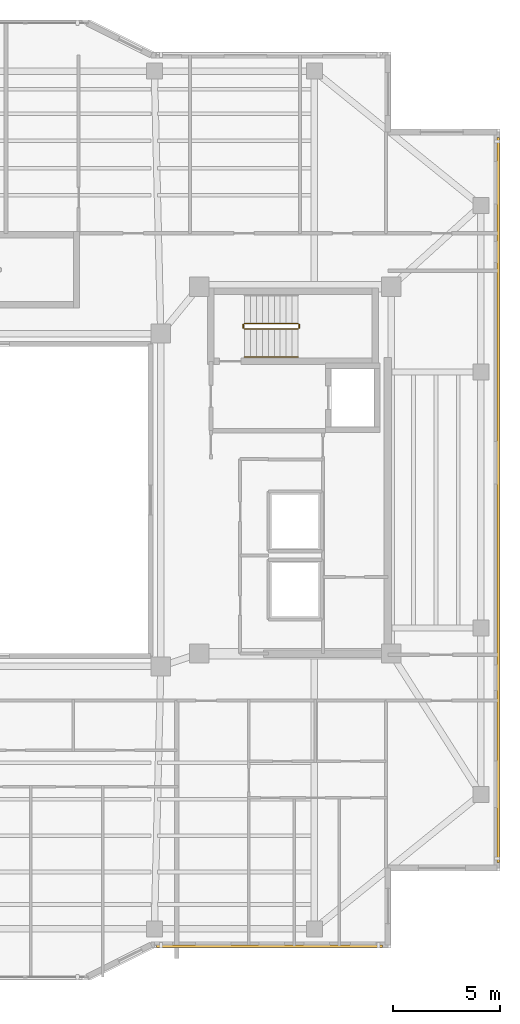
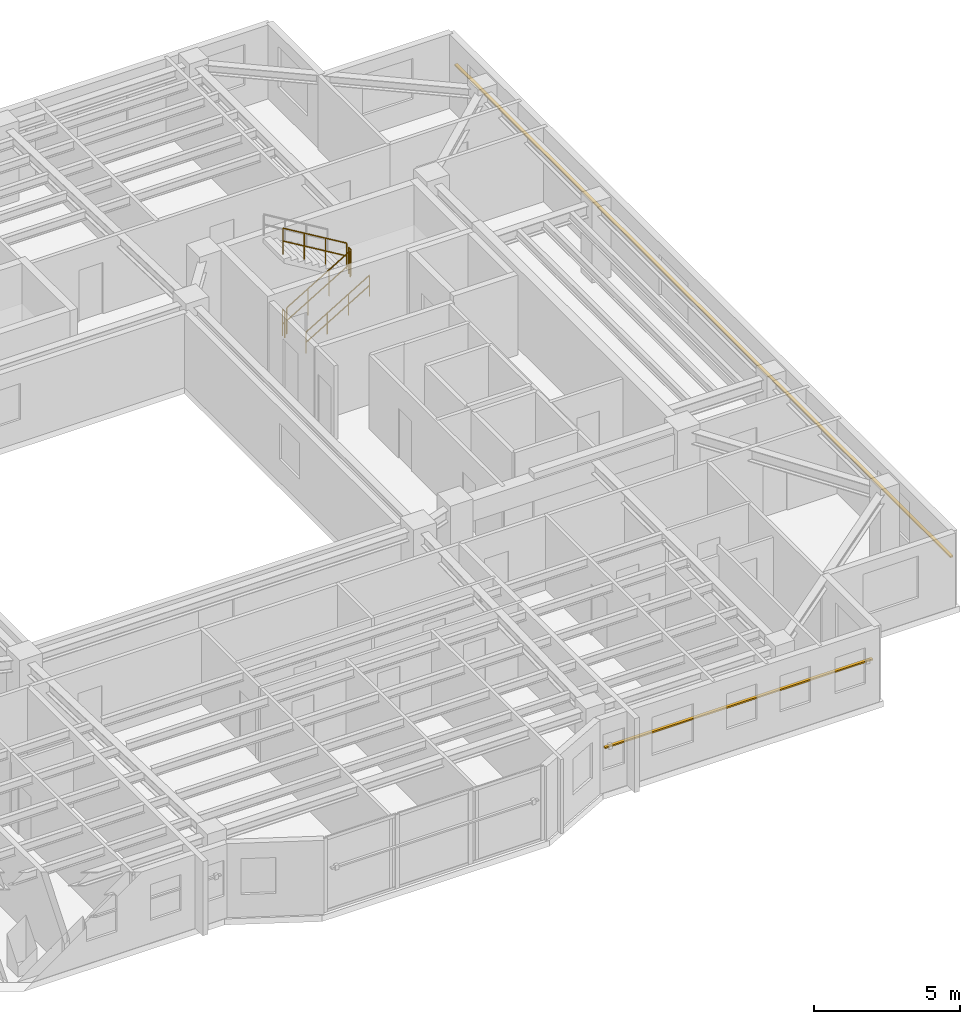
# One storey, part 13 of 14: 5 railings, 2 shading devices.
"""IFC4 building model written with IfcOpenShell, lengths in metres."""

from ifc_helpers import new_model, si_unit, direction, frame, origin, origin_2d, place, context, subcontext, project, spatial, rectangle, circle, extrude, material, material_profile, profile_set, type_object, element, save


model = new_model("IFC4")

# Units and contexts
model_context = context("Model", 3, precision=1e-05, world=origin(), true_north=direction((0.0, 1.0)))
body_context = subcontext(model_context, "Body", "Model", "MODEL_VIEW")
ifc_project = project(units=[si_unit("LENGTHUNIT", "METRE"), si_unit("AREAUNIT", "SQUARE_METRE"), si_unit("VOLUMEUNIT", "CUBIC_METRE"), si_unit("PLANEANGLEUNIT", "RADIAN"), si_unit("MASSUNIT", "GRAM", prefix="KILO")], contexts=[model_context])

# Site, building, storey
site_placement = place(None, origin())
site = spatial("IfcSite", under=ifc_project, at=site_placement, CompositionType="ELEMENT")
building_placement = place(site_placement, origin())
building = spatial("IfcBuilding", under=site, at=building_placement, Name="Tarnavaz Court Tower", CompositionType="ELEMENT")
storey_placement = place(building_placement, frame((0.0, 0.0, 190.25)))
storey = spatial("IfcBuildingStorey", under=building, at=storey_placement, Name="L51", CompositionType="ELEMENT", Elevation=190.25)

# Railings
ifc_material_1 = material(Name="Brushed Stainless Steel", Category="steel")
railing_type_1 = type_object("IfcRailingType", Name="RL-HANDRAIL-900", PredefinedType="HANDRAIL", material=ifc_material_1)
railing_1_placement = place(storey_placement, frame((11.719970703125, 6.699951171875, 0.16748046875)))
element("IfcRailing", 1, at=railing_1_placement, inside=storey, type_object=railing_type_1, Name="L51 ST-E1 stair handrail 1", PredefinedType="HANDRAIL", context=body_context, shape_type="SweptSolid", body=[
    extrude(circle(Radius=0.02392578125, at=origin_2d()), frame((0.0, 0.0, 0.8759765625), z_axis=(0.858159760407, 0.0, 0.513382728203), x_axis=(0.0, 1.0, 0.0)), (0.0, 0.0, 1.0), 2.9365234375),
    extrude(circle(Radius=0.02392578125, at=origin_2d()), frame((0.0, 0.0, 0.449951171875), z_axis=(0.858159760407, 0.0, 0.513382728203), x_axis=(0.0, 1.0, 0.0)), (0.0, 0.0, 1.0), 2.9365234375),
    extrude(circle(Radius=0.02099609375, at=origin_2d()), origin(), (0.0, 0.0, 1.0), 0.851806640625),
    extrude(circle(Radius=0.02099609375, at=origin_2d()), frame((0.840087890625, 0.0, 0.50244140625)), (0.0, 0.0, 1.0), 0.851806640625),
    extrude(circle(Radius=0.02099609375, at=origin_2d()), frame((1.679931640625, 0.0, 1.005126953125)), (0.0, 0.0, 1.0), 0.851806640625),
    extrude(circle(Radius=0.02099609375, at=origin_2d()), frame((2.52001953125, 0.0, 1.507568359375)), (0.0, 0.0, 1.0), 0.851806640625),
])
ifc_material_2 = material(Name="Galvanized Painted Tubular Steel", Category="steel")
railing_type_2 = type_object("IfcRailingType", Name="RL-STGUARD-1120", PredefinedType="GUARDRAIL", material=ifc_material_2)
railing_2_placement = place(storey_placement, frame((11.719970703125, 8.02001953125, 0.16748046875)))
element("IfcRailing", 2, at=railing_2_placement, inside=storey, type_object=railing_type_2, Name="L51 ST-E1 stair guard 1", PredefinedType="GUARDRAIL", context=body_context, shape_type="SweptSolid", body=[
    extrude(circle(Radius=0.02392578125, at=origin_2d()), frame((0.0, 0.0, 1.09619140625), z_axis=(0.858159760407, 0.0, 0.513382728203), x_axis=(0.0, 1.0, 0.0)), (0.0, 0.0, 1.0), 2.9365234375),
    extrude(circle(Radius=0.02392578125, at=origin_2d()), frame((0.0, 0.0, 0.56005859375), z_axis=(0.858159760407, 0.0, 0.513382728203), x_axis=(0.0, 1.0, 0.0)), (0.0, 0.0, 1.0), 2.9365234375),
    extrude(circle(Radius=0.02099609375, at=origin_2d()), origin(), (0.0, 0.0, 1.0), 1.072021484375),
    extrude(circle(Radius=0.02099609375, at=origin_2d()), frame((0.840087890625, 0.0, 0.50244140625)), (0.0, 0.0, 1.0), 1.072021484375),
    extrude(circle(Radius=0.02099609375, at=origin_2d()), frame((1.679931640625, 0.0, 1.005126953125)), (0.0, 0.0, 1.0), 1.072021484375),
    extrude(circle(Radius=0.02099609375, at=origin_2d()), frame((2.52001953125, 0.0, 1.507568359375)), (0.0, 0.0, 1.0), 1.072021484375),
])
railing_3_placement = place(storey_placement, frame((14.2900390625, 8.070068359375, 1.675048828125)))
element("IfcRailing", 3, at=railing_3_placement, inside=storey, type_object=railing_type_2, Name="L51 ST-E1 stair guard 2", PredefinedType="GUARDRAIL", context=body_context, shape_type="SweptSolid", body=[
    extrude(circle(Radius=0.02392578125, at=origin_2d()), frame((0.0, 0.0, 1.09619140625), z_axis=(0.0, 1.0, 0.0), x_axis=(-1.0, 0.0, 0.0)), (0.0, 0.0, 1.0), 0.14990234375),
    extrude(circle(Radius=0.02392578125, at=origin_2d()), frame((0.0, 0.0, 0.56005859375), z_axis=(0.0, 1.0, 0.0), x_axis=(-1.0, 0.0, 0.0)), (0.0, 0.0, 1.0), 0.14990234375),
    extrude(circle(Radius=0.02099609375, at=origin_2d()), origin(), (0.0, 0.0, 1.0), 1.072021484375),
    extrude(circle(Radius=0.02099609375, at=origin_2d()), frame((0.0, 0.14990234375, 0.0)), (0.0, 0.0, 1.0), 1.072021484375),
])
railing_4_placement = place(storey_placement, frame((14.239990234375, 8.27001953125, 1.842529296875)))
element("IfcRailing", 4, at=railing_4_placement, inside=storey, type_object=railing_type_2, Name="L51 ST-E1 stair guard 3", PredefinedType="GUARDRAIL", context=body_context, shape_type="SweptSolid", body=[
    extrude(circle(Radius=0.02392578125, at=origin_2d()), frame((0.0, 0.0, 1.09619140625), z_axis=(-0.858159760407, 0.0, 0.513382728203), x_axis=(0.0, -1.0, 0.0)), (0.0, 0.0, 1.0), 2.9365234375),
    extrude(circle(Radius=0.02392578125, at=origin_2d()), frame((0.0, 0.0, 0.56005859375), z_axis=(-0.858159760407, 0.0, 0.513382728203), x_axis=(0.0, -1.0, 0.0)), (0.0, 0.0, 1.0), 2.9365234375),
    extrude(circle(Radius=0.02099609375, at=origin_2d()), origin(), (0.0, 0.0, 1.0), 1.072021484375),
    extrude(circle(Radius=0.02099609375, at=origin_2d()), frame((-0.840087890625, 0.0, 0.50244140625)), (0.0, 0.0, 1.0), 1.072021484375),
    extrude(circle(Radius=0.02099609375, at=origin_2d()), frame((-1.679931640625, 0.0, 1.005126953125)), (0.0, 0.0, 1.0), 1.072021484375),
    extrude(circle(Radius=0.02099609375, at=origin_2d()), frame((-2.52001953125, 0.0, 1.507568359375)), (0.0, 0.0, 1.0), 1.072021484375),
])
railing_5_placement = place(storey_placement, frame((11.669921875, 8.070068359375, 0.0)))
element("IfcRailing", 5, at=railing_5_placement, inside=storey, type_object=railing_type_2, Name="L51 ST-E1 stair guard 4", PredefinedType="GUARDRAIL", context=body_context, shape_type="SweptSolid", body=[
    extrude(circle(Radius=0.02392578125, at=origin_2d()), frame((0.0, 0.0, 1.09619140625), z_axis=(0.0, 1.0, 0.0), x_axis=(-1.0, 0.0, 0.0)), (0.0, 0.0, 1.0), 0.14990234375),
    extrude(circle(Radius=0.02392578125, at=origin_2d()), frame((0.0, 0.0, 0.56005859375), z_axis=(0.0, 1.0, 0.0), x_axis=(-1.0, 0.0, 0.0)), (0.0, 0.0, 1.0), 0.14990234375),
    extrude(circle(Radius=0.02099609375, at=origin_2d()), origin(), (0.0, 0.0, 1.0), 1.072021484375),
    extrude(circle(Radius=0.02099609375, at=origin_2d()), frame((0.0, 0.14990234375, 0.0)), (0.0, 0.0, 1.0), 1.072021484375),
])

# Shading devices
ifc_material_3 = material(Name="Kiln-Fired Khorasan Terracotta Ceramic", Category="masonry")
ifc_material_profile = material_profile(ifc_material_3, rectangle(XDim=0.1201171875, YDim=0.06005859375, at=origin_2d()), Name="TC BAGUETTE 120X60")
ifc_profile_set = profile_set([ifc_material_profile], Name="Kiln-Fired Khorasan Terracotta Ceramic")
shading_device_type = type_object("IfcShadingDeviceType", Name="SD-BAG-120", PredefinedType="USERDEFINED", material=ifc_profile_set)
shading_device_1_placement = place(storey_placement, frame((23.610107421875, 17.0, 1.85009765625), z_axis=(0.0, -1.0, 0.0), x_axis=(1.0, 0.0, 0.0)))
element("IfcShadingDevice", 6, at=shading_device_1_placement, inside=storey, type_object=shading_device_type, Name="L51 Terracotta Baguette Screen FBG12", ObjectType="BAGUETTE", PredefinedType="USERDEFINED", context=body_context, shape_type="SweptSolid", body=[
    extrude(rectangle(XDim=0.1201171875, YDim=0.06005859375, at=origin_2d()), origin(), (0.0, 0.0, 1.0), 34.0),
])
shading_device_2_placement = place(storey_placement, frame((18.199951171875, -20.909912109375, 1.85009765625), z_axis=(-1.0, 0.0, 0.0), x_axis=(0.0, -1.0, 0.0)))
element("IfcShadingDevice", 7, at=shading_device_2_placement, inside=storey, type_object=shading_device_type, Name="L51 Terracotta Baguette Screen FBG15", ObjectType="BAGUETTE", PredefinedType="USERDEFINED", context=body_context, shape_type="SweptSolid", body=[
    extrude(rectangle(XDim=0.1201171875, YDim=0.06005859375, at=origin_2d()), origin(), (0.0, 0.0, 1.0), 10.599853515625),
])

save(model, "model.ifc")
